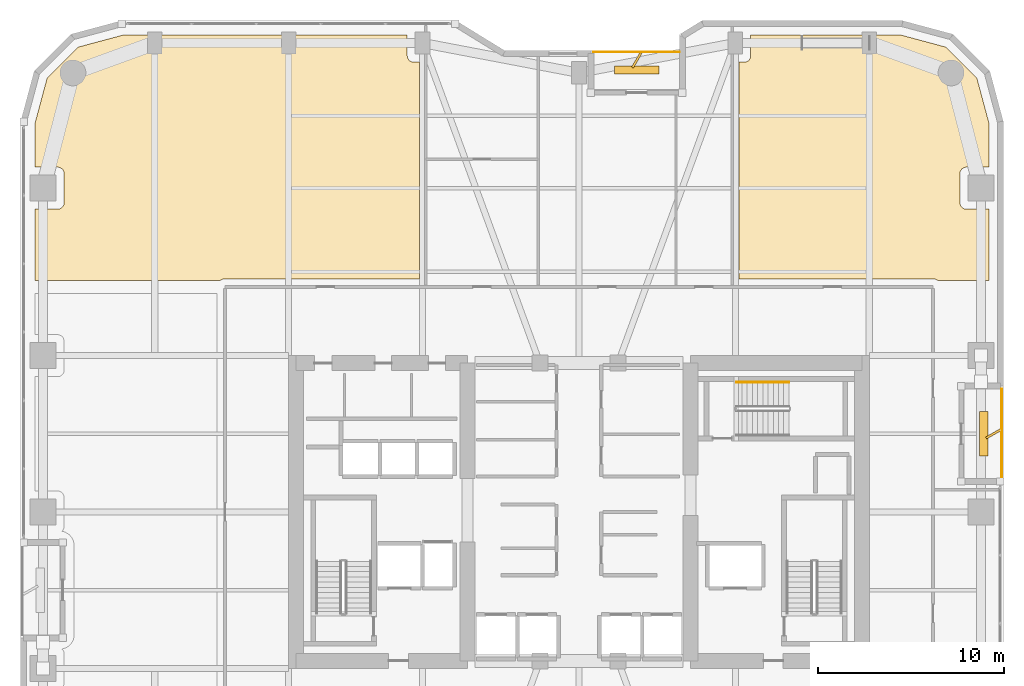
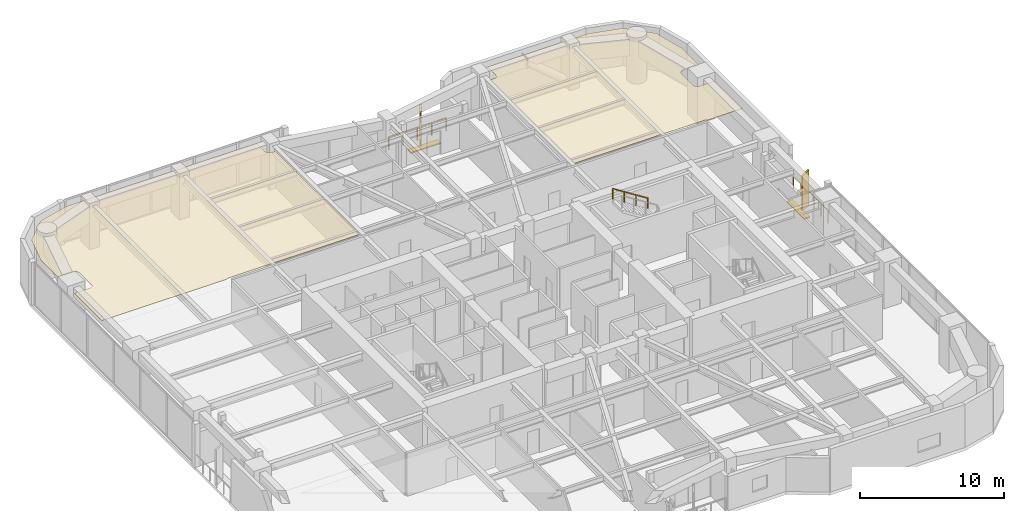
# One storey, part 24 of 24: 4 shading devices, 3 railings, 2 coverings.
"""IFC4 building model written with IfcOpenShell, lengths in metres."""

from ifc_helpers import new_model, si_unit, direction, frame, origin, origin_2d, place, context, subcontext, project, spatial, polyline, rectangle, outline, extrude, material, layer, layer_set, type_object, element, save


model = new_model("IFC4")

# Units and contexts
model_context = context("Model", 3, precision=1e-05, world=origin(), true_north=direction((0.0, 1.0)))
body_context = subcontext(model_context, "Body", "Model", "MODEL_VIEW")
ifc_project = project(units=[si_unit("LENGTHUNIT", "METRE"), si_unit("AREAUNIT", "SQUARE_METRE"), si_unit("VOLUMEUNIT", "CUBIC_METRE"), si_unit("PLANEANGLEUNIT", "RADIAN"), si_unit("MASSUNIT", "GRAM", prefix="KILO")], contexts=[model_context])

# Site, building, storey
site_placement = place(None, origin())
site = spatial("IfcSite", under=ifc_project, at=site_placement, CompositionType="ELEMENT")
building_placement = place(site_placement, origin())
building = spatial("IfcBuilding", under=site, at=building_placement, Name="Kiyonajd Concourse Tower", CompositionType="ELEMENT")
storey_placement = place(building_placement, frame((0.0, 0.0, 105.300048828125)))
storey = spatial("IfcBuildingStorey", under=building, at=storey_placement, Name="L27", CompositionType="ELEMENT", Elevation=105.300048828125)

# Coverings
ifc_material_1 = material(Name="Natural Oak Acoustic Timber Veneer", Category="wood")
ifc_layer = layer(ifc_material_1, 0.0400390625)
ifc_layer_set = layer_set([ifc_layer], Name="Natural Oak Acoustic Timber Veneer")
covering_type = type_object("IfcCoveringType", Name="CV-CLG-ACST", PredefinedType="CEILING", material=ifc_layer_set)
covering_1_placement = place(storey_placement, frame((0.0, 0.0, 3.4599609375)))
element("IfcCovering", 1, at=covering_1_placement, inside=storey, type_object=covering_type, Name="L27-49 Room Acoustic Ceiling", PredefinedType="CEILING", context=body_context, shape_type="SweptSolid", body=[
    extrude(outline(polyline([(21.097900390625, 60.986083984375), (23.5009765625, 61.6298828125), (38.77001953125, 61.6298828125), (38.77001953125, 60.52001953125), (38.777099609375, 60.451904296875), (38.797119140625, 60.385986328125), (38.84912109375, 60.298095703125), (38.89794921875, 60.2490234375), (38.955078125, 60.2109375), (39.01806640625, 60.18505859375), (39.1201171875, 60.169921875), (39.419921875, 60.169921875), (39.419921875, 48.530029296875), (28.97509765625, 48.530029296875), (28.844970703125, 48.510009765625), (28.781982421875, 48.48388671875), (28.72705078125, 48.449951171875), (18.77001953125, 48.449951171875), (18.77001953125, 52.27001953125), (19.97998046875, 52.27001953125), (20.048095703125, 52.277099609375), (20.14501953125, 52.31103515625), (20.201904296875, 52.34912109375), (20.2509765625, 52.39794921875), (20.2890625, 52.455078125), (20.31494140625, 52.51806640625), (20.330078125, 52.6201171875), (20.330078125, 54.179931640625), (20.31494140625, 54.281982421875), (20.2890625, 54.344970703125), (20.2509765625, 54.402099609375), (20.201904296875, 54.450927734375), (20.14501953125, 54.489013671875), (20.08203125, 54.514892578125), (20.013916015625, 54.528076171875), (18.77001953125, 54.530029296875), (18.77001953125, 56.89892578125), (19.4140625, 59.302001953125), (21.097900390625, 60.986083984375)])), origin(), (0.0, 0.0, 1.0), 0.0400390625),
])
covering_2_placement = place(storey_placement, frame((0.0, 0.0, 3.4599609375)))
element("IfcCovering", 2, at=covering_2_placement, inside=storey, type_object=covering_type, Name="L27-54 Room Acoustic Ceiling", PredefinedType="CEILING", context=body_context, shape_type="SweptSolid", body=[
    extrude(outline(polyline([(57.22998046875, 61.6298828125), (65.299072265625, 61.6298828125), (67.701904296875, 60.986083984375), (69.385986328125, 59.302001953125), (70.030029296875, 56.89892578125), (70.030029296875, 54.530029296875), (68.785888671875, 54.528076171875), (68.718017578125, 54.514892578125), (68.655029296875, 54.489013671875), (68.597900390625, 54.450927734375), (68.549072265625, 54.402099609375), (68.510986328125, 54.344970703125), (68.485107421875, 54.281982421875), (68.469970703125, 54.179931640625), (68.471923828125, 52.5859375), (68.4970703125, 52.486083984375), (68.549072265625, 52.39794921875), (68.597900390625, 52.34912109375), (68.655029296875, 52.31103515625), (68.751953125, 52.277099609375), (68.820068359375, 52.27001953125), (70.030029296875, 52.27001953125), (70.030029296875, 48.449951171875), (67.27294921875, 48.449951171875), (67.218017578125, 48.48388671875), (67.155029296875, 48.510009765625), (67.02490234375, 48.530029296875), (56.60009765625, 48.530029296875), (56.60009765625, 60.169921875), (56.9140625, 60.172119140625), (57.013916015625, 60.197021484375), (57.073974609375, 60.22900390625), (57.126953125, 60.27294921875), (57.1708984375, 60.325927734375), (57.202880859375, 60.385986328125), (57.222900390625, 60.451904296875), (57.22998046875, 60.52001953125), (57.22998046875, 61.6298828125)])), origin(), (0.0, 0.0, 1.0), 0.0400390625),
])

# Railings
ifc_material_2 = material(Name="Thermally Broken Anodised Aluminium", Category="aluminium")
railing_type_1 = type_object("IfcRailingType", Name="RL-GRD-LOG", PredefinedType="GUARDRAIL", material=ifc_material_2)
railing_1_placement = place(storey_placement, frame((53.39990234375, 60.719970703125, 0.0)))
element("IfcRailing", 3, at=railing_1_placement, inside=storey, type_object=railing_type_1, Name="L27 Engawa Loggia Perimeter Guard LOG-N", PredefinedType="GUARDRAIL", context=body_context, shape_type="SweptSolid", body=[
    extrude(rectangle(XDim=0.048095703125, YDim=0.048095703125, at=origin_2d()), frame((0.0, 0.0, 1.076171875), z_axis=(-1.0, 0.0, 0.0), x_axis=(0.0, -1.0, 0.0)), (0.0, 0.0, 1.0), 4.599853515625),
    extrude(rectangle(XDim=0.0419921875, YDim=0.0419921875, at=origin_2d()), origin(), (0.0, 0.0, 1.0), 1.052001953125),
    extrude(rectangle(XDim=0.0419921875, YDim=0.0419921875, at=origin_2d()), frame((-1.14990234375, 0.0, 0.0)), (0.0, 0.0, 1.0), 1.052001953125),
    extrude(rectangle(XDim=0.0419921875, YDim=0.0419921875, at=origin_2d()), frame((-2.2998046875, 0.0, 0.0)), (0.0, 0.0, 1.0), 1.052001953125),
    extrude(rectangle(XDim=0.0419921875, YDim=0.0419921875, at=origin_2d()), frame((-3.449951171875, 0.0, 0.0)), (0.0, 0.0, 1.0), 1.052001953125),
    extrude(rectangle(XDim=0.0419921875, YDim=0.0419921875, at=origin_2d()), frame((-4.599853515625, 0.0, 0.0)), (0.0, 0.0, 1.0), 1.052001953125),
])
railing_2_placement = place(storey_placement, frame((70.719970703125, 37.800048828125, 0.0)))
element("IfcRailing", 4, at=railing_2_placement, inside=storey, type_object=railing_type_1, Name="L27 Engawa Loggia Perimeter Guard LOG-E", PredefinedType="GUARDRAIL", context=body_context, shape_type="SweptSolid", body=[
    extrude(rectangle(XDim=0.048095703125, YDim=0.048095703125, at=origin_2d()), frame((0.0, 0.0, 1.076171875), z_axis=(0.0, 1.0, 0.0), x_axis=(-1.0, 0.0, 0.0)), (0.0, 0.0, 1.0), 4.800048828125),
    extrude(rectangle(XDim=0.0419921875, YDim=0.0419921875, at=origin_2d()), origin(), (0.0, 0.0, 1.0), 1.052001953125),
    extrude(rectangle(XDim=0.0419921875, YDim=0.0419921875, at=origin_2d()), frame((0.0, 0.9599609375, 0.0)), (0.0, 0.0, 1.0), 1.052001953125),
    extrude(rectangle(XDim=0.0419921875, YDim=0.0419921875, at=origin_2d()), frame((0.0, 1.919921875, 0.0)), (0.0, 0.0, 1.0), 1.052001953125),
    extrude(rectangle(XDim=0.0419921875, YDim=0.0419921875, at=origin_2d()), frame((0.0, 2.880126953125, 0.0)), (0.0, 0.0, 1.0), 1.052001953125),
    extrude(rectangle(XDim=0.0419921875, YDim=0.0419921875, at=origin_2d()), frame((0.0, 3.840087890625, 0.0)), (0.0, 0.0, 1.0), 1.052001953125),
    extrude(rectangle(XDim=0.0419921875, YDim=0.0419921875, at=origin_2d()), frame((0.0, 4.800048828125, 0.0)), (0.0, 0.0, 1.0), 1.052001953125),
])
ifc_material_3 = material(Name="Brushed Stainless Steel Cab Assembly", Category="steel")
railing_type_2 = type_object("IfcRailingType", Name="RL-HND-900", PredefinedType="HANDRAIL", material=ifc_material_3)
railing_3_placement = place(storey_placement, frame((59.280029296875, 42.969970703125, 2.127197265625)))
element("IfcRailing", 5, at=railing_3_placement, inside=storey, type_object=railing_type_2, Name="L27 ST3 stair handrail 2", PredefinedType="HANDRAIL", context=body_context, shape_type="SweptSolid", body=[
    extrude(rectangle(XDim=0.048095703125, YDim=0.048095703125, at=origin_2d()), frame((0.0, 0.0, 0.8759765625), z_axis=(-0.844908973607, 0.0, 0.534910110503), x_axis=(0.0, -1.0, 0.0)), (0.0, 0.0, 1.0), 3.31396484375),
    extrude(rectangle(XDim=0.0419921875, YDim=0.0419921875, at=origin_2d()), origin(), (0.0, 0.0, 1.0), 0.851806640625),
    extrude(rectangle(XDim=0.0419921875, YDim=0.0419921875, at=origin_2d()), frame((-0.933349609375, 0.0, 0.5908203125)), (0.0, 0.0, 1.0), 0.851806640625),
    extrude(rectangle(XDim=0.0419921875, YDim=0.0419921875, at=origin_2d()), frame((-1.86669921875, 0.0, 1.181884765625)), (0.0, 0.0, 1.0), 0.851806640625),
    extrude(rectangle(XDim=0.0419921875, YDim=0.0419921875, at=origin_2d()), frame((-2.800048828125, 0.0, 1.772705078125)), (0.0, 0.0, 1.0), 0.851806640625),
])

# Shading devices
ifc_material_4 = material(Name="Precast concrete C50/60", Category="concrete")
shading_device_type_1 = type_object("IfcShadingDeviceType", Name="SH-FIN-900", PredefinedType="USERDEFINED", material=ifc_material_4)
for number, where, z_axis, x_axis, name in (
    (6, (51.10009765625, 60.27001953125, 0.0), (0.0, 0.0, 1.0), (0.5, 0.866025403784, 0.0), "L27 Angled Koshi Solar Fin LOG-N"),
    (7, (70.27001953125, 40.199951171875, 0.0), (0.0, 0.0, 1.0), (0.866025403784, 0.5, 0.0), "L27 Angled Koshi Solar Fin LOG-E"),
):
    element("IfcShadingDevice", number, at=place(storey_placement, frame(where, z_axis=z_axis, x_axis=x_axis)), inside=storey, type_object=shading_device_type_1, Name=name, ObjectType="FIN", PredefinedType="USERDEFINED", context=body_context, shape_type="SweptSolid", body=[
        extrude(rectangle(XDim=0.89990234375, YDim=0.1201171875, at=origin_2d()), origin(), (0.0, 0.0, 1.0), 3.0),
    ])
shading_device_type_2 = type_object("IfcShadingDeviceType", Name="SH-LVR-600", PredefinedType="JALOUSIE", material=ifc_material_2)
for number, where, z_axis, x_axis, name in (
    (8, (51.10009765625, 59.75, 0.0), (0.0, 0.0, 1.0), (1.0, 0.0, 0.0), "L27 Loggia Threshold Louver LOG-N"),
    (9, (69.75, 40.199951171875, 0.0), (0.0, 0.0, 1.0), (0.0, 1.0, 0.0), "L27 Loggia Threshold Louver LOG-E"),
):
    element("IfcShadingDevice", number, at=place(storey_placement, frame(where, z_axis=z_axis, x_axis=x_axis)), inside=storey, type_object=shading_device_type_2, Name=name, PredefinedType="JALOUSIE", context=body_context, shape_type="SweptSolid", body=[
        extrude(rectangle(XDim=2.39990234375, YDim=0.449951171875, at=origin_2d()), origin(), (0.0, 0.0, 1.0), 0.10009765625),
    ])

save(model, "model.ifc")
